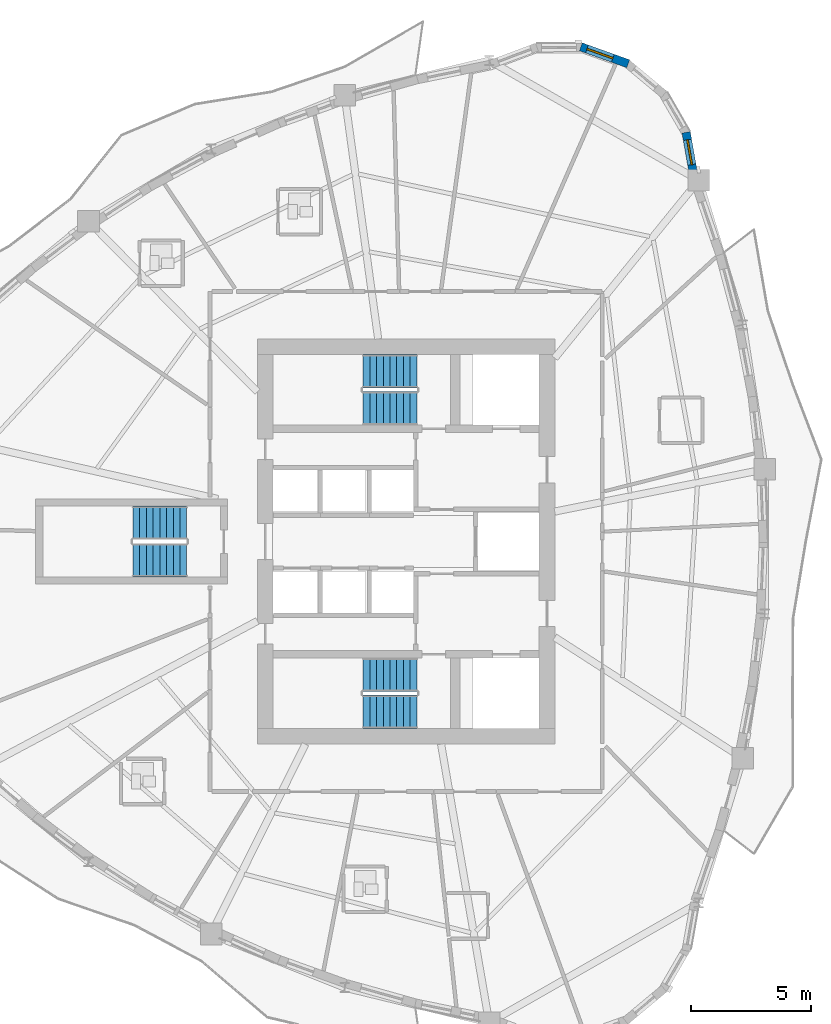
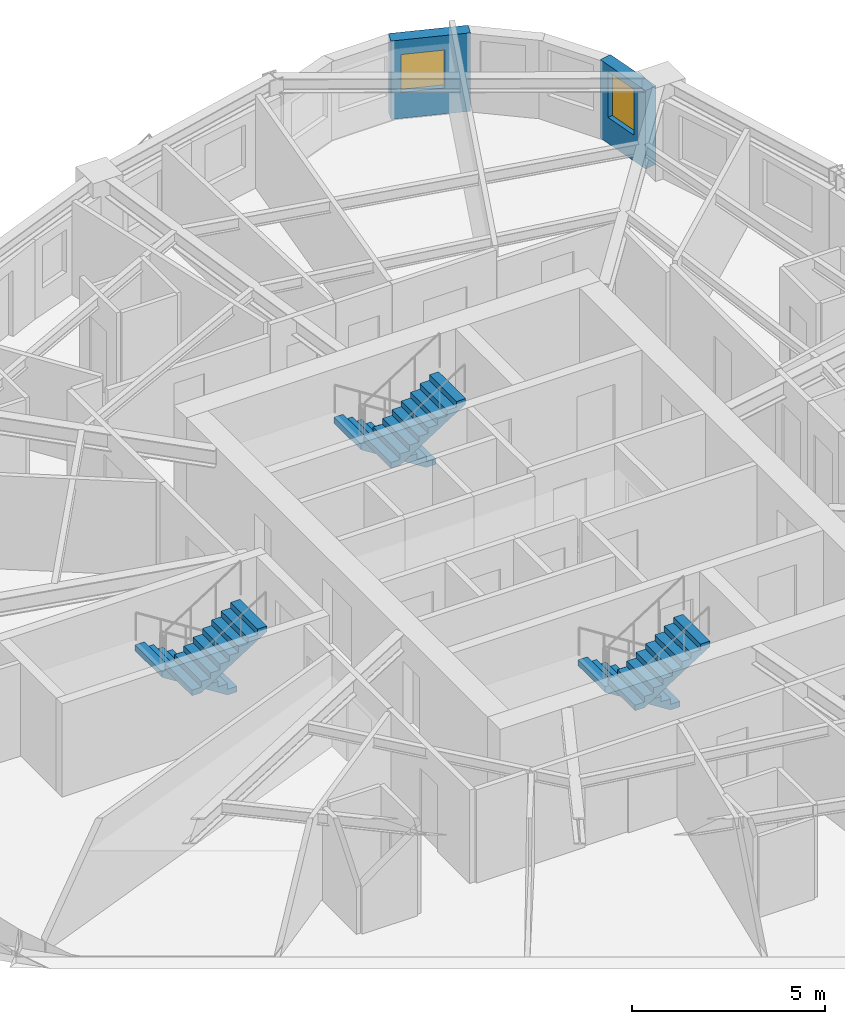
# One storey, part 10 of 14: 6 stair flights, 2 walls, 2 windows, 2 openings, 3 elements without a shape of their own.
"""IFC4 building model written with IfcOpenShell, lengths in metres."""

from ifc_helpers import new_model, si_unit, direction, frame, frame_2d, origin, place, context, subcontext, project, spatial, polyline, rectangle, outline, extrude, source, transform, mapped, material, layer, layer_set, type_object, element, fill, aggregate, save


model = new_model("IFC4")

# Units and contexts
model_context = context("Model", 3, precision=1e-05, world=origin(), true_north=direction((0.0, 1.0)))
body_context = subcontext(model_context, "Body", "Model", "MODEL_VIEW")
ifc_project = project(units=[si_unit("LENGTHUNIT", "METRE"), si_unit("AREAUNIT", "SQUARE_METRE"), si_unit("VOLUMEUNIT", "CUBIC_METRE"), si_unit("PLANEANGLEUNIT", "RADIAN"), si_unit("MASSUNIT", "GRAM", prefix="KILO")], contexts=[model_context])

# Site, building, storey
site_placement = place(None, origin())
site = spatial("IfcSite", under=ifc_project, at=site_placement, CompositionType="ELEMENT")
building_placement = place(site_placement, origin())
building = spatial("IfcBuilding", under=site, at=building_placement, Name="Qafzar Sky-Pleat Residences", CompositionType="ELEMENT")
storey_placement = place(building_placement, frame((0.0, 0.0, 73.60009765625)))
storey = spatial("IfcBuildingStorey", under=building, at=storey_placement, Name="L21", CompositionType="ELEMENT", Elevation=73.60009765625)

# Wall, opening, window
ifc_material_1 = material(Name="Precast concrete C40/50 with honed Riyadh limestone", Category="concrete")
ifc_layer = layer(ifc_material_1, 0.35009765625)
ifc_layer_set = layer_set([ifc_layer], Name="Precast concrete C40/50 with honed Riyadh limestone")
wall_type = type_object("IfcWallType", Name="WALL-EXT-350", PredefinedType="SOLIDWALL", material=ifc_layer_set)
wall_1_placement = place(storey_placement, frame((42.348388671875, 41.2578125, 0.0), z_axis=(0.0, 0.0, 1.0), x_axis=(-0.174331490339, 0.984687022092, 0.0)))
wall_1 = element("IfcWall", 1, at=wall_1_placement, inside=storey, type_object=wall_type, Name="L21 Limestone Facade Wall 33", PredefinedType="SOLIDWALL", context=body_context, shape_type="SweptSolid", body=[
    extrude(rectangle(XDim=1.8359375, YDim=0.35009765625, at=frame_2d((0.91796875, 0.0))), origin(), (0.0, 0.0, 1.0), 2.47998046875),
])
opening_1_placement = place(wall_1_placement, frame((0.468017578125, 0.0, 0.820068359375)))
opening_1 = element("IfcOpeningElement", 2, at=opening_1_placement, cuts=wall_1, Name="Opening WN-06", PredefinedType="OPENING", context=body_context, shape_type="SweptSolid", body=[
    extrude(rectangle(XDim=1.050048828125, YDim=1.449951171875, at=frame_2d((0.52490234375, 0.72509765625))), frame((0.0, 0.18505859375, 0.0), z_axis=(0.0, -1.0, 0.0), x_axis=(1.0, 0.0, 0.0)), (0.0, 0.0, 1.0), 0.3701171875),
])
ifc_material_2 = material(Name="Solar-control low-E glass in bronze aluminium frame", Category="glass")
window_type_1 = type_object("IfcWindowType", Name="WIN-06", PartitioningType="SINGLE_PANEL", PredefinedType="WINDOW", material=ifc_material_2)
shared_shape_1 = source(origin(), body_context, "Body", "SweptSolid", [
    extrude(rectangle(XDim=1.050048828125, YDim=1.449951171875, at=frame_2d((0.52490234375, 0.72509765625))), frame((0.0, 0.030029296875, 0.0), z_axis=(0.0, -1.0, 0.0), x_axis=(1.0, 0.0, 0.0)), (0.0, 0.0, 1.0), 0.06005859375),
])
window_1_placement = place(opening_1_placement, origin())
window_1 = element("IfcWindow", 3, at=window_1_placement, inside=storey, type_object=window_type_1, Name="L21 Punched Facade Window 33", OverallHeight=1.449951171875, OverallWidth=1.050048828125, PartitioningType="SINGLE_PANEL", PredefinedType="WINDOW", context=body_context, shape_type="MappedRepresentation", body=[
    mapped(shared_shape_1, transform((0.0, 0.0, 0.0), x_axis=(1.0, 0.0, 0.0), y_axis=(0.0, 1.0, 0.0), z_axis=(0.0, 0.0, 1.0), scale=1.0)),
])
fill(opening_1, window_1)

wall_2_placement = place(storey_placement, frame((39.614013671875, 45.92529296875, 0.0), z_axis=(0.0, 0.0, 1.0), x_axis=(-0.941486401639, 0.33705096874, 0.0)))
wall_2 = element("IfcWall", 4, at=wall_2_placement, inside=storey, type_object=wall_type, Name="L21 Limestone Facade Wall 36", PredefinedType="SOLIDWALL", context=body_context, shape_type="SweptSolid", body=[
    extrude(rectangle(XDim=2.09912109375, YDim=0.35009765625, at=frame_2d((1.049560546875, 0.0))), origin(), (0.0, 0.0, 1.0), 2.47998046875),
])
opening_2_placement = place(wall_2_placement, frame((0.679931640625, 0.0, 0.820068359375)))
opening_2 = element("IfcOpeningElement", 5, at=opening_2_placement, cuts=wall_2, Name="Opening WN-16", PredefinedType="OPENING", context=body_context, shape_type="SweptSolid", body=[
    extrude(rectangle(XDim=1.14990234375, YDim=1.199951171875, at=frame_2d((0.574951171875, 0.60009765625))), frame((0.0, 0.18505859375, 0.0), z_axis=(0.0, -1.0, 0.0), x_axis=(1.0, 0.0, 0.0)), (0.0, 0.0, 1.0), 0.3701171875),
])
window_type_2 = type_object("IfcWindowType", Name="WIN-16", PartitioningType="SINGLE_PANEL", PredefinedType="WINDOW", material=ifc_material_2)
shared_shape_2 = source(origin(), body_context, "Body", "SweptSolid", [
    extrude(rectangle(XDim=1.14990234375, YDim=1.199951171875, at=frame_2d((0.574951171875, 0.60009765625))), frame((0.0, 0.030029296875, 0.0), z_axis=(0.0, -1.0, 0.0), x_axis=(1.0, 0.0, 0.0)), (0.0, 0.0, 1.0), 0.06005859375),
])
window_2_placement = place(opening_2_placement, origin())
window_2 = element("IfcWindow", 6, at=window_2_placement, inside=storey, type_object=window_type_2, Name="L21 Punched Facade Window 36-2", OverallHeight=1.199951171875, OverallWidth=1.14990234375, PartitioningType="SINGLE_PANEL", PredefinedType="WINDOW", context=body_context, shape_type="MappedRepresentation", body=[
    mapped(shared_shape_2, transform((0.0, 0.0, 0.0), x_axis=(1.0, 0.0, 0.0), y_axis=(0.0, 1.0, 0.0), z_axis=(0.0, 0.0, 1.0), scale=1.0)),
])
fill(opening_2, window_2)

# Stair, stair flights
ifc_material_3 = material(Name="Concrete C40/50", Category="concrete")
stair_type = type_object("IfcStairType", Name="STAIR-H320", PredefinedType="HALF_TURN_STAIR", material=ifc_material_3)
stair_1_placement = place(storey_placement, origin())
stair_1 = element("IfcStair", 7, at=stair_1_placement, inside=storey, type_object=stair_type, Name="L21 Protected Exit Stair ST1", PredefinedType="HALF_TURN_STAIR")
stair_flight_type = type_object("IfcStairFlightType", Name="FLIGHT-H320", PredefinedType="STRAIGHT", material=ifc_material_3)
shared_shape_3 = source(origin(), body_context, "Body", "SweptSolid", [
    extrude(outline(polyline([(0.0, 0.0), (0.0, 0.177734375), (0.280029296875, 0.177734375), (0.280029296875, 0.35546875), (0.56005859375, 0.35546875), (0.56005859375, 0.533447265625), (0.840087890625, 0.533447265625), (0.840087890625, 0.711181640625), (1.1201171875, 0.711181640625), (1.1201171875, 0.888916015625), (1.39990234375, 0.888916015625), (1.39990234375, 1.066650390625), (1.679931640625, 1.066650390625), (1.679931640625, 1.244384765625), (1.9599609375, 1.244384765625), (1.9599609375, 1.422119140625), (2.239990234375, 1.422119140625), (2.239990234375, 1.60009765625), (2.239990234375, 1.24462890625), (0.27978515625, 0.0), (0.0, 0.0)])), frame((0.0, 0.699951171875, 0.0), z_axis=(0.0, -1.0, 0.0), x_axis=(1.0, 0.0, 0.0)), (0.0, 0.0, 1.0), 1.39990234375),
])
stair_flight_1_placement = place(storey_placement, frame((30.800048828125, 20.449951171875, 0.0), z_axis=(0.0, 0.0, 1.0), x_axis=(-1.0, 0.0, 0.0)))
stair_flight_1 = element("IfcStairFlight", 8, at=stair_flight_1_placement, type_object=stair_flight_type, Name="ST1 flight 1", NumberOfRisers=9, NumberOfTreads=8, PredefinedType="STRAIGHT", RiserHeight=0.177777778, TreadLength=0.28, context=body_context, shape_type="MappedRepresentation", body=[
    mapped(shared_shape_3, transform((0.0, 0.0, 0.0), x_axis=(1.0, 0.0, 0.0), y_axis=(0.0, 1.0, 0.0), z_axis=(0.0, 0.0, 1.0), scale=1.0)),
])
stair_flight_2_placement = place(storey_placement, frame((28.56005859375, 18.89990234375, 1.599853515625), z_axis=(0.0, 0.0, 1.0), x_axis=(1.0, 0.0, 0.0)))
stair_flight_2 = element("IfcStairFlight", 9, at=stair_flight_2_placement, type_object=stair_flight_type, Name="ST1 flight 2", NumberOfRisers=9, NumberOfTreads=8, PredefinedType="STRAIGHT", RiserHeight=0.177777778, TreadLength=0.28, context=body_context, shape_type="MappedRepresentation", body=[
    mapped(shared_shape_3, transform((0.0, 0.0, 0.0), x_axis=(1.0, 0.0, 0.0), y_axis=(0.0, 1.0, 0.0), z_axis=(0.0, 0.0, 1.0), scale=1.0)),
])
aggregate(stair_1, [stair_flight_1, stair_flight_2])

stair_2_placement = place(storey_placement, origin())
stair_2 = element("IfcStair", 10, at=stair_2_placement, inside=storey, type_object=stair_type, Name="L21 Protected Exit Stair ST2", PredefinedType="HALF_TURN_STAIR")
stair_flight_3_placement = place(storey_placement, frame((30.800048828125, 33.10009765625, 0.0), z_axis=(0.0, 0.0, 1.0), x_axis=(-1.0, 0.0, 0.0)))
stair_flight_3 = element("IfcStairFlight", 11, at=stair_flight_3_placement, type_object=stair_flight_type, Name="ST2 flight 1", NumberOfRisers=9, NumberOfTreads=8, PredefinedType="STRAIGHT", RiserHeight=0.177777778, TreadLength=0.28, context=body_context, shape_type="MappedRepresentation", body=[
    mapped(shared_shape_3, transform((0.0, 0.0, 0.0), x_axis=(1.0, 0.0, 0.0), y_axis=(0.0, 1.0, 0.0), z_axis=(0.0, 0.0, 1.0), scale=1.0)),
])
stair_flight_4_placement = place(storey_placement, frame((28.56005859375, 31.550048828125, 1.599853515625), z_axis=(0.0, 0.0, 1.0), x_axis=(1.0, 0.0, 0.0)))
stair_flight_4 = element("IfcStairFlight", 12, at=stair_flight_4_placement, type_object=stair_flight_type, Name="ST2 flight 2", NumberOfRisers=9, NumberOfTreads=8, PredefinedType="STRAIGHT", RiserHeight=0.177777778, TreadLength=0.28, context=body_context, shape_type="MappedRepresentation", body=[
    mapped(shared_shape_3, transform((0.0, 0.0, 0.0), x_axis=(1.0, 0.0, 0.0), y_axis=(0.0, 1.0, 0.0), z_axis=(0.0, 0.0, 1.0), scale=1.0)),
])
aggregate(stair_2, [stair_flight_3, stair_flight_4])

stair_3_placement = place(storey_placement, origin())
stair_3 = element("IfcStair", 13, at=stair_3_placement, inside=storey, type_object=stair_type, Name="L21 Protected Exit Stair ST3", PredefinedType="HALF_TURN_STAIR")
stair_flight_5_placement = place(storey_placement, frame((21.199951171875, 26.77490234375, 0.0), z_axis=(0.0, 0.0, 1.0), x_axis=(-1.0, 0.0, 0.0)))
stair_flight_5 = element("IfcStairFlight", 14, at=stair_flight_5_placement, type_object=stair_flight_type, Name="ST3 flight 1", NumberOfRisers=9, NumberOfTreads=8, PredefinedType="STRAIGHT", RiserHeight=0.177777778, TreadLength=0.28, context=body_context, shape_type="MappedRepresentation", body=[
    mapped(shared_shape_3, transform((0.0, 0.0, 0.0), x_axis=(1.0, 0.0, 0.0), y_axis=(0.0, 1.0, 0.0), z_axis=(0.0, 0.0, 1.0), scale=1.0)),
])
stair_flight_6_placement = place(storey_placement, frame((18.9599609375, 25.22509765625, 1.599853515625), z_axis=(0.0, 0.0, 1.0), x_axis=(1.0, 0.0, 0.0)))
stair_flight_6 = element("IfcStairFlight", 15, at=stair_flight_6_placement, type_object=stair_flight_type, Name="ST3 flight 2", NumberOfRisers=9, NumberOfTreads=8, PredefinedType="STRAIGHT", RiserHeight=0.177777778, TreadLength=0.28, context=body_context, shape_type="MappedRepresentation", body=[
    mapped(shared_shape_3, transform((0.0, 0.0, 0.0), x_axis=(1.0, 0.0, 0.0), y_axis=(0.0, 1.0, 0.0), z_axis=(0.0, 0.0, 1.0), scale=1.0)),
])
aggregate(stair_3, [stair_flight_5, stair_flight_6])

save(model, "model.ifc")
